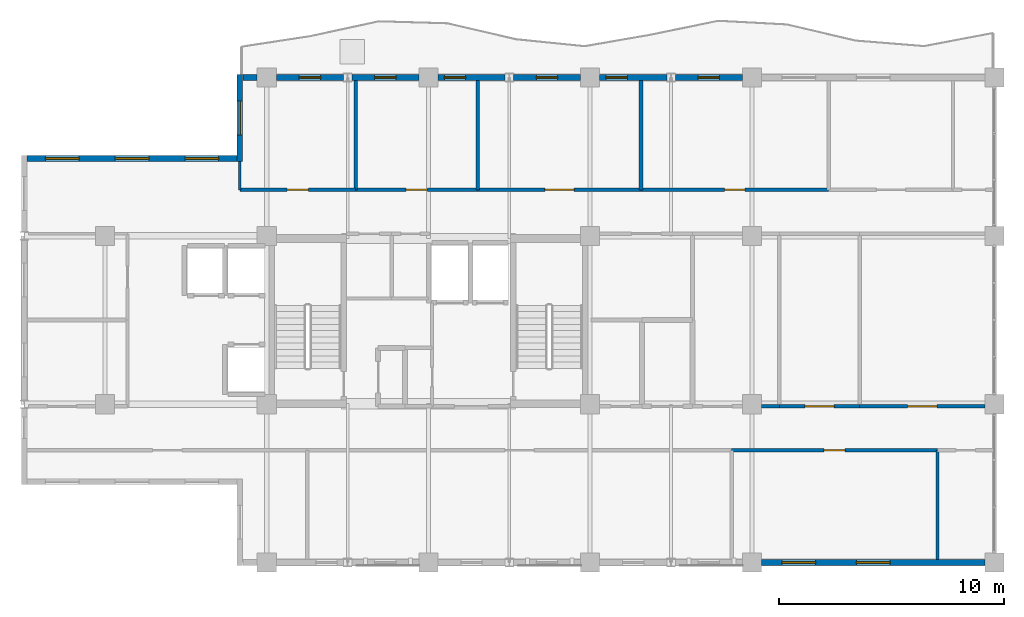
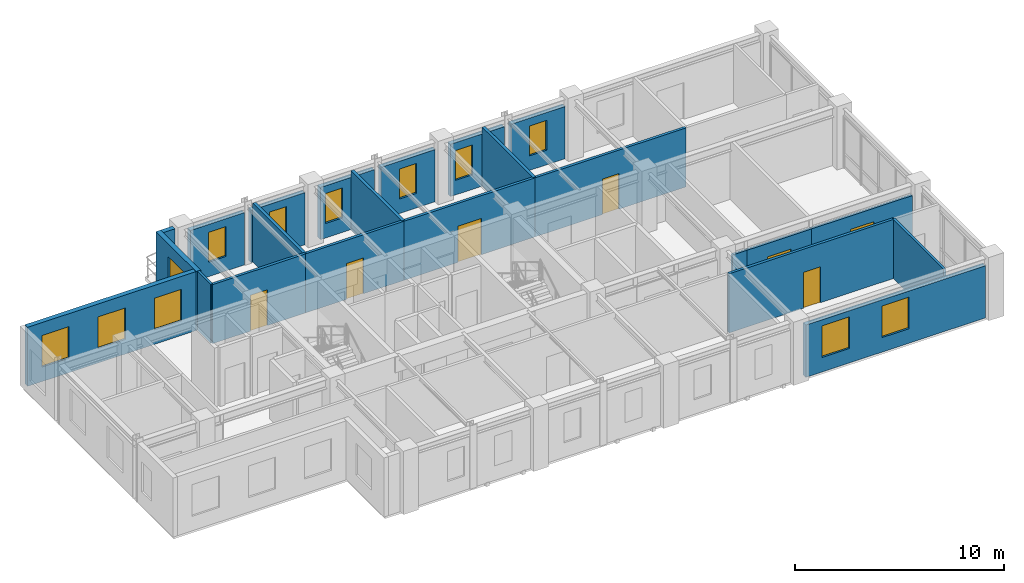
# One storey, part 8 of 10: 23 walls, 12 windows, 7 doors, 19 openings.
"""IFC4 building model written with IfcOpenShell, lengths in metres."""

from ifc_helpers import new_model, si_unit, direction, frame, frame_2d, origin, place, context, subcontext, project, spatial, rectangle, extrude, material, layer, layer_set, type_object, element, fill, save


model = new_model("IFC4")

# Units and contexts
model_context = context("Model", 3, precision=1e-05, world=origin(), true_north=direction((0.0, 1.0)))
body_context = subcontext(model_context, "Body", "Model", "MODEL_VIEW")
ifc_project = project(units=[si_unit("LENGTHUNIT", "METRE"), si_unit("AREAUNIT", "SQUARE_METRE"), si_unit("VOLUMEUNIT", "CUBIC_METRE"), si_unit("PLANEANGLEUNIT", "RADIAN"), si_unit("MASSUNIT", "GRAM", prefix="KILO")], contexts=[model_context])

# Site, building, storey
site_placement = place(None, origin())
site = spatial("IfcSite", under=ifc_project, at=site_placement, CompositionType="ELEMENT")
building_placement = place(site_placement, origin())
building = spatial("IfcBuilding", under=site, at=building_placement, Name="Kaliganga Portal Commons", CompositionType="ELEMENT")
storey_placement = place(building_placement, frame((0.0, 0.0, 279.5)))
storey = spatial("IfcBuildingStorey", under=building, at=storey_placement, Name="L72", CompositionType="ELEMENT", Elevation=279.5)

# Wall, openings, windows
ifc_material_1 = material(Name="Insulated Aluminium-Clad Spandrel Assembly", Category="aluminium")
ifc_layer_1 = layer(ifc_material_1, 0.260009765625)
ifc_layer_set_1 = layer_set([ifc_layer_1], Name="Insulated Aluminium-Clad Spandrel Assembly")
wall_type_1 = type_object("IfcWallType", Name="WL-EXT-SPAND-260", PredefinedType="STANDARD", material=ifc_layer_set_1)
wall_1_placement = place(storey_placement, frame((46.3740234375, 21.60009765625, 0.0), z_axis=(0.0, 0.0, 1.0), x_axis=(-1.0, 0.0, 0.0)))
wall_1 = element("IfcWall", 1, at=wall_1_placement, inside=storey, type_object=wall_type_1, Name="Exterior Envelope Wall L72 P1-E00-S8", PredefinedType="STANDARD", context=body_context, shape_type="SweptSolid", body=[
    extrude(rectangle(XDim=9.947998046875, YDim=0.260009765625, at=frame_2d((4.97412109375, 0.0))), origin(), (0.0, 0.0, 1.0), 3.054931640625),
])
opening_1_placement = place(wall_1_placement, frame((4.22412109375, 0.0, 0.85009765625)))
opening_1 = element("IfcOpeningElement", 2, at=opening_1_placement, cuts=wall_1, Name="Opening W-02", PredefinedType="OPENING", context=body_context, shape_type="SweptSolid", body=[
    extrude(rectangle(XDim=1.5, YDim=1.85009765625, at=frame_2d((0.75, 0.925048828125))), frame((0.0, 0.14013671875, 0.0), z_axis=(0.0, -1.0, 0.0), x_axis=(1.0, 0.0, 0.0)), (0.0, 0.0, 1.0), 0.280029296875),
])
opening_2_placement = place(wall_1_placement, frame((7.5400390625, 0.0, 0.85009765625)))
opening_2 = element("IfcOpeningElement", 3, at=opening_2_placement, cuts=wall_1, Name="Opening W-02", PredefinedType="OPENING", context=body_context, shape_type="SweptSolid", body=[
    extrude(rectangle(XDim=1.5, YDim=1.85009765625, at=frame_2d((0.75, 0.925048828125))), frame((0.0, 0.14013671875, 0.0), z_axis=(0.0, -1.0, 0.0), x_axis=(1.0, 0.0, 0.0)), (0.0, 0.0, 1.0), 0.280029296875),
])
ifc_material_2 = material(Name="Thermally Broken Aluminium and Low-E Double Glazing", Category="aluminium")
window_type_1 = type_object("IfcWindowType", Name="WIN-STD-1500", PartitioningType="DOUBLE_PANEL_VERTICAL", PredefinedType="WINDOW", material=ifc_material_2)
window_1_placement = place(opening_1_placement, origin())
window_1 = element("IfcWindow", 4, at=window_1_placement, inside=storey, type_object=window_type_1, Name="Facade Window L72-P1E00S8-01", OverallHeight=1.85009765625, OverallWidth=1.5, PartitioningType="SINGLE_PANEL", PredefinedType="WINDOW", context=body_context, shape_type="SweptSolid", body=[
    extrude(rectangle(XDim=1.5, YDim=1.85009765625, at=frame_2d((0.75, 0.925048828125))), frame((0.0, 0.030029296875, 0.0), z_axis=(0.0, -1.0, 0.0), x_axis=(1.0, 0.0, 0.0)), (0.0, 0.0, 1.0), 0.06005859375),
])
fill(opening_1, window_1)
window_2_placement = place(opening_2_placement, origin())
window_2 = element("IfcWindow", 5, at=window_2_placement, inside=storey, type_object=window_type_1, Name="Facade Window L72-P1E00S8-02", OverallHeight=1.85009765625, OverallWidth=1.5, PartitioningType="SINGLE_PANEL", PredefinedType="WINDOW", context=body_context, shape_type="SweptSolid", body=[
    extrude(rectangle(XDim=1.5, YDim=1.85009765625, at=frame_2d((0.75, 0.925048828125))), frame((0.0, 0.030029296875, 0.0), z_axis=(0.0, -1.0, 0.0), x_axis=(1.0, 0.0, 0.0)), (0.0, 0.0, 1.0), 0.06005859375),
])
fill(opening_2, window_2)

# Wall, opening, window
wall_2_placement = place(storey_placement, frame((32.587890625, 43.199951171875, 0.0), z_axis=(0.0, 0.0, 1.0), x_axis=(1.0, 0.0, 0.0)))
wall_2 = element("IfcWall", 6, at=wall_2_placement, inside=storey, type_object=wall_type_1, Name="Exterior Envelope Wall L72 P1-E02-S2", PredefinedType="STANDARD", context=body_context, shape_type="SweptSolid", body=[
    extrude(rectangle(XDim=2.986083984375, YDim=0.260009765625, at=frame_2d((1.4931640625, 0.0))), origin(), (0.0, 0.0, 1.0), 3.054931640625),
])
opening_3_placement = place(wall_2_placement, frame((1.01806640625, 0.0, 0.85009765625)))
opening_3 = element("IfcOpeningElement", 7, at=opening_3_placement, cuts=wall_2, Name="Opening W-04", PredefinedType="OPENING", context=body_context, shape_type="SweptSolid", body=[
    extrude(rectangle(XDim=0.949951171875, YDim=1.75, at=frame_2d((0.47509765625, 0.875))), frame((0.0, 0.14013671875, 0.0), z_axis=(0.0, -1.0, 0.0), x_axis=(1.0, 0.0, 0.0)), (0.0, 0.0, 1.0), 0.280029296875),
])
window_type_2 = type_object("IfcWindowType", Name="WIN-NARROW-950", PartitioningType="SINGLE_PANEL", PredefinedType="WINDOW", material=ifc_material_2)
window_3_placement = place(opening_3_placement, origin())
window_3 = element("IfcWindow", 8, at=window_3_placement, inside=storey, type_object=window_type_2, Name="Facade Window L72-P1E02S2-00", OverallHeight=1.75, OverallWidth=0.949951171875, PartitioningType="SINGLE_PANEL", PredefinedType="WINDOW", context=body_context, shape_type="SweptSolid", body=[
    extrude(rectangle(XDim=0.949951171875, YDim=1.75, at=frame_2d((0.47509765625, 0.875))), frame((0.0, 0.030029296875, 0.0), z_axis=(0.0, -1.0, 0.0), x_axis=(1.0, 0.0, 0.0)), (0.0, 0.0, 1.0), 0.06005859375),
])
fill(opening_3, window_3)

wall_3_placement = place(storey_placement, frame((29.22607421875, 43.199951171875, 0.0), z_axis=(0.0, 0.0, 1.0), x_axis=(1.0, 0.0, 0.0)))
wall_3 = element("IfcWall", 9, at=wall_3_placement, inside=storey, type_object=wall_type_1, Name="Exterior Envelope Wall L72 P1-E02-S3", PredefinedType="STANDARD", context=body_context, shape_type="SweptSolid", body=[
    extrude(rectangle(XDim=2.98583984375, YDim=0.260009765625, at=frame_2d((1.492919921875, 0.0))), origin(), (0.0, 0.0, 1.0), 3.054931640625),
])
opening_4_placement = place(wall_3_placement, frame((0.277587890625, 0.0, 0.85009765625)))
opening_4 = element("IfcOpeningElement", 10, at=opening_4_placement, cuts=wall_3, Name="Opening W-04", PredefinedType="OPENING", context=body_context, shape_type="SweptSolid", body=[
    extrude(rectangle(XDim=0.949951171875, YDim=1.75, at=frame_2d((0.47509765625, 0.875))), frame((0.0, 0.14013671875, 0.0), z_axis=(0.0, -1.0, 0.0), x_axis=(1.0, 0.0, 0.0)), (0.0, 0.0, 1.0), 0.280029296875),
])
window_4_placement = place(opening_4_placement, origin())
window_4 = element("IfcWindow", 11, at=window_4_placement, inside=storey, type_object=window_type_2, Name="Facade Window L72-P1E02S3-N1", OverallHeight=1.75, OverallWidth=0.949951171875, PartitioningType="SINGLE_PANEL", PredefinedType="WINDOW", context=body_context, shape_type="SweptSolid", body=[
    extrude(rectangle(XDim=0.949951171875, YDim=1.75, at=frame_2d((0.47509765625, 0.875))), frame((0.0, 0.030029296875, 0.0), z_axis=(0.0, -1.0, 0.0), x_axis=(1.0, 0.0, 0.0)), (0.0, 0.0, 1.0), 0.06005859375),
])
fill(opening_4, window_4)

wall_4_placement = place(storey_placement, frame((25.387939453125, 43.199951171875, 0.0), z_axis=(0.0, 0.0, 1.0), x_axis=(1.0, 0.0, 0.0)))
wall_4 = element("IfcWall", 12, at=wall_4_placement, inside=storey, type_object=wall_type_1, Name="Exterior Envelope Wall L72 P1-E02-S4", PredefinedType="STANDARD", context=body_context, shape_type="SweptSolid", body=[
    extrude(rectangle(XDim=2.986083984375, YDim=0.260009765625, at=frame_2d((1.4931640625, 0.0))), origin(), (0.0, 0.0, 1.0), 3.054931640625),
])
opening_5_placement = place(wall_4_placement, frame((1.01806640625, 0.0, 0.85009765625)))
opening_5 = element("IfcOpeningElement", 13, at=opening_5_placement, cuts=wall_4, Name="Opening W-04", PredefinedType="OPENING", context=body_context, shape_type="SweptSolid", body=[
    extrude(rectangle(XDim=0.949951171875, YDim=1.75, at=frame_2d((0.47509765625, 0.875))), frame((0.0, 0.14013671875, 0.0), z_axis=(0.0, -1.0, 0.0), x_axis=(1.0, 0.0, 0.0)), (0.0, 0.0, 1.0), 0.280029296875),
])
window_5_placement = place(opening_5_placement, origin())
window_5 = element("IfcWindow", 14, at=window_5_placement, inside=storey, type_object=window_type_2, Name="Facade Window L72-P1E02S4-00", OverallHeight=1.75, OverallWidth=0.949951171875, PartitioningType="SINGLE_PANEL", PredefinedType="WINDOW", context=body_context, shape_type="SweptSolid", body=[
    extrude(rectangle(XDim=0.949951171875, YDim=1.75, at=frame_2d((0.47509765625, 0.875))), frame((0.0, 0.030029296875, 0.0), z_axis=(0.0, -1.0, 0.0), x_axis=(1.0, 0.0, 0.0)), (0.0, 0.0, 1.0), 0.06005859375),
])
fill(opening_5, window_5)

wall_5_placement = place(storey_placement, frame((22.02587890625, 43.199951171875, 0.0), z_axis=(0.0, 0.0, 1.0), x_axis=(1.0, 0.0, 0.0)))
wall_5 = element("IfcWall", 15, at=wall_5_placement, inside=storey, type_object=wall_type_1, Name="Exterior Envelope Wall L72 P1-E02-S5", PredefinedType="STANDARD", context=body_context, shape_type="SweptSolid", body=[
    extrude(rectangle(XDim=2.986083984375, YDim=0.260009765625, at=frame_2d((1.4931640625, 0.0))), origin(), (0.0, 0.0, 1.0), 3.054931640625),
])
opening_6_placement = place(wall_5_placement, frame((0.277587890625, 0.0, 0.85009765625)))
opening_6 = element("IfcOpeningElement", 16, at=opening_6_placement, cuts=wall_5, Name="Opening W-04", PredefinedType="OPENING", context=body_context, shape_type="SweptSolid", body=[
    extrude(rectangle(XDim=0.949951171875, YDim=1.75, at=frame_2d((0.47509765625, 0.875))), frame((0.0, 0.14013671875, 0.0), z_axis=(0.0, -1.0, 0.0), x_axis=(1.0, 0.0, 0.0)), (0.0, 0.0, 1.0), 0.280029296875),
])
window_6_placement = place(opening_6_placement, origin())
window_6 = element("IfcWindow", 17, at=window_6_placement, inside=storey, type_object=window_type_2, Name="Facade Window L72-P1E02S5-N1", OverallHeight=1.75, OverallWidth=0.949951171875, PartitioningType="SINGLE_PANEL", PredefinedType="WINDOW", context=body_context, shape_type="SweptSolid", body=[
    extrude(rectangle(XDim=0.949951171875, YDim=1.75, at=frame_2d((0.47509765625, 0.875))), frame((0.0, 0.030029296875, 0.0), z_axis=(0.0, -1.0, 0.0), x_axis=(1.0, 0.0, 0.0)), (0.0, 0.0, 1.0), 0.06005859375),
])
fill(opening_6, window_6)

wall_6_placement = place(storey_placement, frame((18.18798828125, 43.199951171875, 0.0), z_axis=(0.0, 0.0, 1.0), x_axis=(1.0, 0.0, 0.0)))
wall_6 = element("IfcWall", 18, at=wall_6_placement, inside=storey, type_object=wall_type_1, Name="Exterior Envelope Wall L72 P1-E02-S6", PredefinedType="STANDARD", context=body_context, shape_type="SweptSolid", body=[
    extrude(rectangle(XDim=2.986083984375, YDim=0.260009765625, at=frame_2d((1.4931640625, 0.0))), origin(), (0.0, 0.0, 1.0), 3.054931640625),
])
opening_7_placement = place(wall_6_placement, frame((1.01806640625, 0.0, 0.85009765625)))
opening_7 = element("IfcOpeningElement", 19, at=opening_7_placement, cuts=wall_6, Name="Opening W-04", PredefinedType="OPENING", context=body_context, shape_type="SweptSolid", body=[
    extrude(rectangle(XDim=0.949951171875, YDim=1.75, at=frame_2d((0.47509765625, 0.875))), frame((0.0, 0.14013671875, 0.0), z_axis=(0.0, -1.0, 0.0), x_axis=(1.0, 0.0, 0.0)), (0.0, 0.0, 1.0), 0.280029296875),
])
window_7_placement = place(opening_7_placement, origin())
window_7 = element("IfcWindow", 20, at=window_7_placement, inside=storey, type_object=window_type_2, Name="Facade Window L72-P1E02S6-00", OverallHeight=1.75, OverallWidth=0.949951171875, PartitioningType="SINGLE_PANEL", PredefinedType="WINDOW", context=body_context, shape_type="SweptSolid", body=[
    extrude(rectangle(XDim=0.949951171875, YDim=1.75, at=frame_2d((0.47509765625, 0.875))), frame((0.0, 0.030029296875, 0.0), z_axis=(0.0, -1.0, 0.0), x_axis=(1.0, 0.0, 0.0)), (0.0, 0.0, 1.0), 0.06005859375),
])
fill(opening_7, window_7)

wall_7_placement = place(storey_placement, frame((14.825927734375, 43.199951171875, 0.0), z_axis=(0.0, 0.0, 1.0), x_axis=(1.0, 0.0, 0.0)))
wall_7 = element("IfcWall", 21, at=wall_7_placement, inside=storey, type_object=wall_type_1, Name="Exterior Envelope Wall L72 P1-E02-S7", PredefinedType="STANDARD", context=body_context, shape_type="SweptSolid", body=[
    extrude(rectangle(XDim=2.986083984375, YDim=0.260009765625, at=frame_2d((1.4931640625, 0.0))), origin(), (0.0, 0.0, 1.0), 3.054931640625),
])
opening_8_placement = place(wall_7_placement, frame((1.01806640625, 0.0, 0.85009765625)))
opening_8 = element("IfcOpeningElement", 22, at=opening_8_placement, cuts=wall_7, Name="Opening W-04", PredefinedType="OPENING", context=body_context, shape_type="SweptSolid", body=[
    extrude(rectangle(XDim=0.949951171875, YDim=1.75, at=frame_2d((0.47509765625, 0.875))), frame((0.0, 0.14013671875, 0.0), z_axis=(0.0, -1.0, 0.0), x_axis=(1.0, 0.0, 0.0)), (0.0, 0.0, 1.0), 0.280029296875),
])
window_8_placement = place(opening_8_placement, origin())
window_8 = element("IfcWindow", 23, at=window_8_placement, inside=storey, type_object=window_type_2, Name="Facade Window L72-P1E02S7-00", OverallHeight=1.75, OverallWidth=0.949951171875, PartitioningType="SINGLE_PANEL", PredefinedType="WINDOW", context=body_context, shape_type="SweptSolid", body=[
    extrude(rectangle(XDim=0.949951171875, YDim=1.75, at=frame_2d((0.47509765625, 0.875))), frame((0.0, 0.030029296875, 0.0), z_axis=(0.0, -1.0, 0.0), x_axis=(1.0, 0.0, 0.0)), (0.0, 0.0, 1.0), 0.06005859375),
])
fill(opening_8, window_8)

# Wall
wall_8_placement = place(storey_placement, frame((13.3349609375, 43.199951171875, 0.0), z_axis=(0.0, 0.0, 1.0), x_axis=(1.0, 0.0, 0.0)))
element("IfcWall", 24, at=wall_8_placement, inside=storey, type_object=wall_type_1, Name="Exterior Envelope Wall L72 P1-E02-S8", PredefinedType="STANDARD", context=body_context, shape_type="SweptSolid", body=[
    extrude(rectangle(XDim=0.63916015625, YDim=0.260009765625, at=frame_2d((0.319580078125, 0.0))), origin(), (0.0, 0.0, 1.0), 3.455078125),
])

# Wall, opening, window
wall_9_placement = place(storey_placement, frame((13.199951171875, 39.469970703125, 0.0), z_axis=(0.0, 0.0, 1.0), x_axis=(0.0, 1.0, 0.0)))
wall_9 = element("IfcWall", 25, at=wall_9_placement, inside=storey, type_object=wall_type_1, Name="Exterior Envelope Wall L72 P1-E03-S1", PredefinedType="STANDARD", context=body_context, shape_type="SweptSolid", body=[
    extrude(rectangle(XDim=3.860107421875, YDim=0.260009765625, at=frame_2d((1.93017578125, 0.0))), origin(), (0.0, 0.0, 1.0), 3.455078125),
])
opening_9_placement = place(wall_9_placement, frame((1.179931640625, 0.0, 0.85009765625)))
opening_9 = element("IfcOpeningElement", 26, at=opening_9_placement, cuts=wall_9, Name="Opening W-02", PredefinedType="OPENING", context=body_context, shape_type="SweptSolid", body=[
    extrude(rectangle(XDim=1.5, YDim=1.85009765625, at=frame_2d((0.75, 0.925048828125))), frame((0.0, 0.14013671875, 0.0), z_axis=(0.0, -1.0, 0.0), x_axis=(1.0, 0.0, 0.0)), (0.0, 0.0, 1.0), 0.280029296875),
])
window_9_placement = place(opening_9_placement, origin())
window_9 = element("IfcWindow", 27, at=window_9_placement, inside=storey, type_object=window_type_1, Name="Facade Window L72-P1E03S1-00", OverallHeight=1.85009765625, OverallWidth=1.5, PartitioningType="SINGLE_PANEL", PredefinedType="WINDOW", context=body_context, shape_type="SweptSolid", body=[
    extrude(rectangle(XDim=1.5, YDim=1.85009765625, at=frame_2d((0.75, 0.925048828125))), frame((0.0, 0.030029296875, 0.0), z_axis=(0.0, -1.0, 0.0), x_axis=(1.0, 0.0, 0.0)), (0.0, 0.0, 1.0), 0.06005859375),
])
fill(opening_9, window_9)

# Wall, openings, windows
wall_10_placement = place(storey_placement, frame((3.735107421875, 39.60009765625, 0.0), z_axis=(0.0, 0.0, 1.0), x_axis=(1.0, 0.0, 0.0)))
wall_10 = element("IfcWall", 28, at=wall_10_placement, inside=storey, type_object=wall_type_1, Name="Exterior Envelope Wall L72 P1-E04-S1", PredefinedType="STANDARD", context=body_context, shape_type="SweptSolid", body=[
    extrude(rectangle(XDim=9.329833984375, YDim=0.260009765625, at=frame_2d((4.6650390625, 0.0))), origin(), (0.0, 0.0, 1.0), 3.455078125),
])
opening_10_placement = place(wall_10_placement, frame((0.804931640625, 0.0, 0.85009765625)))
opening_10 = element("IfcOpeningElement", 29, at=opening_10_placement, cuts=wall_10, Name="Opening W-02", PredefinedType="OPENING", context=body_context, shape_type="SweptSolid", body=[
    extrude(rectangle(XDim=1.5, YDim=1.85009765625, at=frame_2d((0.75, 0.925048828125))), frame((0.0, 0.14013671875, 0.0), z_axis=(0.0, -1.0, 0.0), x_axis=(1.0, 0.0, 0.0)), (0.0, 0.0, 1.0), 0.280029296875),
])
opening_11_placement = place(wall_10_placement, frame((3.9150390625, 0.0, 0.85009765625)))
opening_11 = element("IfcOpeningElement", 30, at=opening_11_placement, cuts=wall_10, Name="Opening W-02", PredefinedType="OPENING", context=body_context, shape_type="SweptSolid", body=[
    extrude(rectangle(XDim=1.5, YDim=1.85009765625, at=frame_2d((0.75, 0.925048828125))), frame((0.0, 0.14013671875, 0.0), z_axis=(0.0, -1.0, 0.0), x_axis=(1.0, 0.0, 0.0)), (0.0, 0.0, 1.0), 0.280029296875),
])
opening_12_placement = place(wall_10_placement, frame((7.02490234375, 0.0, 0.85009765625)))
opening_12 = element("IfcOpeningElement", 31, at=opening_12_placement, cuts=wall_10, Name="Opening W-02", PredefinedType="OPENING", context=body_context, shape_type="SweptSolid", body=[
    extrude(rectangle(XDim=1.5, YDim=1.85009765625, at=frame_2d((0.75, 0.925048828125))), frame((0.0, 0.14013671875, 0.0), z_axis=(0.0, -1.0, 0.0), x_axis=(1.0, 0.0, 0.0)), (0.0, 0.0, 1.0), 0.280029296875),
])
window_10_placement = place(opening_10_placement, origin())
window_10 = element("IfcWindow", 32, at=window_10_placement, inside=storey, type_object=window_type_1, Name="Facade Window L72-P1E04S1-00", OverallHeight=1.85009765625, OverallWidth=1.5, PartitioningType="SINGLE_PANEL", PredefinedType="WINDOW", context=body_context, shape_type="SweptSolid", body=[
    extrude(rectangle(XDim=1.5, YDim=1.85009765625, at=frame_2d((0.75, 0.925048828125))), frame((0.0, 0.030029296875, 0.0), z_axis=(0.0, -1.0, 0.0), x_axis=(1.0, 0.0, 0.0)), (0.0, 0.0, 1.0), 0.06005859375),
])
fill(opening_10, window_10)
window_11_placement = place(opening_11_placement, origin())
window_11 = element("IfcWindow", 33, at=window_11_placement, inside=storey, type_object=window_type_1, Name="Facade Window L72-P1E04S1-01", OverallHeight=1.85009765625, OverallWidth=1.5, PartitioningType="SINGLE_PANEL", PredefinedType="WINDOW", context=body_context, shape_type="SweptSolid", body=[
    extrude(rectangle(XDim=1.5, YDim=1.85009765625, at=frame_2d((0.75, 0.925048828125))), frame((0.0, 0.030029296875, 0.0), z_axis=(0.0, -1.0, 0.0), x_axis=(1.0, 0.0, 0.0)), (0.0, 0.0, 1.0), 0.06005859375),
])
fill(opening_11, window_11)
window_12_placement = place(opening_12_placement, origin())
window_12 = element("IfcWindow", 34, at=window_12_placement, inside=storey, type_object=window_type_1, Name="Facade Window L72-P1E04S1-02", OverallHeight=1.85009765625, OverallWidth=1.5, PartitioningType="SINGLE_PANEL", PredefinedType="WINDOW", context=body_context, shape_type="SweptSolid", body=[
    extrude(rectangle(XDim=1.5, YDim=1.85009765625, at=frame_2d((0.75, 0.925048828125))), frame((0.0, 0.030029296875, 0.0), z_axis=(0.0, -1.0, 0.0), x_axis=(1.0, 0.0, 0.0)), (0.0, 0.0, 1.0), 0.06005859375),
])
fill(opening_12, window_12)

# Wall, opening, door
ifc_material_3 = material(Name="Fire-Rated Gypsum Board on Steel Stud", Category="steel")
ifc_layer_2 = layer(ifc_material_3, 0.14990234375)
ifc_layer_set_2 = layer_set([ifc_layer_2], Name="Fire-Rated Gypsum Board on Steel Stud")
wall_type_2 = type_object("IfcWallType", Name="WL-PART-CORR-150", PredefinedType="PARTITIONING", material=ifc_layer_set_2)
wall_11_placement = place(storey_placement, frame((35.10009765625, 26.60009765625, 0.0), z_axis=(0.0, 0.0, 1.0), x_axis=(1.0, 0.0, 0.0)))
wall_11 = element("IfcWall", 35, at=wall_11_placement, inside=storey, type_object=wall_type_2, Name="Interior Partition L72-003", PredefinedType="PARTITIONING", context=body_context, shape_type="SweptSolid", body=[
    extrude(rectangle(XDim=9.159912109375, YDim=0.14990234375, at=frame_2d((4.580078125, 0.0))), origin(), (0.0, 0.0, 1.0), 3.455078125),
])
opening_13_placement = place(wall_11_placement, frame((4.10498046875, 0.0, 0.0)))
opening_13 = element("IfcOpeningElement", 36, at=opening_13_placement, cuts=wall_11, Name="Opening UD-01", PredefinedType="OPENING", context=body_context, shape_type="SweptSolid", body=[
    extrude(rectangle(XDim=0.949951171875, YDim=2.10009765625, at=frame_2d((0.47509765625, 1.050048828125))), frame((0.0, 0.0849609375, 0.0), z_axis=(0.0, -1.0, 0.0), x_axis=(1.0, 0.0, 0.0)), (0.0, 0.0, 1.0), 0.169921875),
])
ifc_material_4 = material(Name="Solid-Core Timber Acoustic Fire Door", Category="wood")
door_type_1 = type_object("IfcDoorType", Name="DR-UNIT-950", OperationType="NOTDEFINED", PredefinedType="DOOR", material=ifc_material_4)
door_1_placement = place(opening_13_placement, origin())
door_1 = element("IfcDoor", 37, at=door_1_placement, inside=storey, type_object=door_type_1, Name="Interior Door L72-AS03", OperationType="SINGLE_SWING_LEFT", OverallHeight=2.10009765625, OverallWidth=0.949951171875, PredefinedType="DOOR", context=body_context, shape_type="SweptSolid", body=[
    extrude(rectangle(XDim=0.949951171875, YDim=2.10009765625, at=frame_2d((0.47509765625, 1.050048828125))), frame((0.0, 0.02490234375, 0.0), z_axis=(0.0, -1.0, 0.0), x_axis=(1.0, 0.0, 0.0)), (0.0, 0.0, 1.0), 0.050048828125),
])
fill(opening_13, door_1)

wall_12_placement = place(storey_placement, frame((31.06005859375, 38.199951171875, 0.0), z_axis=(0.0, 0.0, 1.0), x_axis=(1.0, 0.0, 0.0)))
wall_12 = element("IfcWall", 38, at=wall_12_placement, inside=storey, type_object=wall_type_2, Name="Interior Partition L72-004", PredefinedType="PARTITIONING", context=body_context, shape_type="SweptSolid", body=[
    extrude(rectangle(XDim=8.35986328125, YDim=0.14990234375, at=frame_2d((4.179931640625, 0.0))), origin(), (0.0, 0.0, 1.0), 3.455078125),
])
opening_14_placement = place(wall_12_placement, frame((3.72998046875, 0.0, 0.0)))
opening_14 = element("IfcOpeningElement", 39, at=opening_14_placement, cuts=wall_12, Name="Opening RD-01", PredefinedType="OPENING", context=body_context, shape_type="SweptSolid", body=[
    extrude(rectangle(XDim=0.89990234375, YDim=2.080078125, at=frame_2d((0.449951171875, 1.0400390625))), frame((0.0, 0.0849609375, 0.0), z_axis=(0.0, -1.0, 0.0), x_axis=(1.0, 0.0, 0.0)), (0.0, 0.0, 1.0), 0.169921875),
])
ifc_material_5 = material(Name="Engineered Timber Flush Door", Category="wood")
door_type_2 = type_object("IfcDoorType", Name="DR-ROOM-900", OperationType="NOTDEFINED", PredefinedType="DOOR", material=ifc_material_5)
door_2_placement = place(opening_14_placement, origin())
door_2 = element("IfcDoor", 40, at=door_2_placement, inside=storey, type_object=door_type_2, Name="Interior Door L72-AN04", OperationType="SINGLE_SWING_RIGHT", OverallHeight=2.080078125, OverallWidth=0.89990234375, PredefinedType="DOOR", context=body_context, shape_type="SweptSolid", body=[
    extrude(rectangle(XDim=0.89990234375, YDim=2.080078125, at=frame_2d((0.449951171875, 1.0400390625))), frame((0.0, 0.02490234375, 0.0), z_axis=(0.0, -1.0, 0.0), x_axis=(1.0, 0.0, 0.0)), (0.0, 0.0, 1.0), 0.050048828125),
])
fill(opening_14, door_2)

wall_13_placement = place(storey_placement, frame((23.800048828125, 38.199951171875, 0.0), z_axis=(0.0, 0.0, 1.0), x_axis=(1.0, 0.0, 0.0)))
wall_13 = element("IfcWall", 41, at=wall_13_placement, inside=storey, type_object=wall_type_2, Name="Interior Partition L72-005", PredefinedType="PARTITIONING", context=body_context, shape_type="SweptSolid", body=[
    extrude(rectangle(XDim=7.260009765625, YDim=0.14990234375, at=frame_2d((3.6298828125, 0.0))), origin(), (0.0, 0.0, 1.0), 3.455078125),
])
opening_15_placement = place(wall_13_placement, frame((2.97998046875, 0.0, 0.0)))
opening_15 = element("IfcOpeningElement", 42, at=opening_15_placement, cuts=wall_13, Name="Opening RD-03", PredefinedType="OPENING", context=body_context, shape_type="SweptSolid", body=[
    extrude(rectangle(XDim=1.300048828125, YDim=2.1201171875, at=frame_2d((0.64990234375, 1.06005859375))), frame((0.0, 0.0849609375, 0.0), z_axis=(0.0, -1.0, 0.0), x_axis=(1.0, 0.0, 0.0)), (0.0, 0.0, 1.0), 0.169921875),
])
ifc_material_6 = material(Name="Glazed Timber Seminar Vision Door", Category="wood")
door_type_3 = type_object("IfcDoorType", Name="DR-STUDY-1300", OperationType="DOUBLE_DOOR_SINGLE_SWING", PredefinedType="DOOR", material=ifc_material_6)
door_3_placement = place(opening_15_placement, origin())
door_3 = element("IfcDoor", 43, at=door_3_placement, inside=storey, type_object=door_type_3, Name="Interior Door L72-AN03", OperationType="DOUBLE_DOOR_SINGLE_SWING", OverallHeight=2.1201171875, OverallWidth=1.300048828125, PredefinedType="DOOR", context=body_context, shape_type="SweptSolid", body=[
    extrude(rectangle(XDim=1.300048828125, YDim=2.1201171875, at=frame_2d((0.64990234375, 1.06005859375))), frame((0.0, 0.02490234375, 0.0), z_axis=(0.0, -1.0, 0.0), x_axis=(1.0, 0.0, 0.0)), (0.0, 0.0, 1.0), 0.050048828125),
])
fill(opening_15, door_3)

wall_14_placement = place(storey_placement, frame((40.800048828125, 28.56005859375, 0.0), z_axis=(0.0, 0.0, 1.0), x_axis=(1.0, 0.0, 0.0)))
wall_14 = element("IfcWall", 44, at=wall_14_placement, inside=storey, type_object=wall_type_2, Name="Interior Partition L72-006", PredefinedType="PARTITIONING", context=body_context, shape_type="SweptSolid", body=[
    extrude(rectangle(XDim=5.574951171875, YDim=0.14990234375, at=frame_2d((2.78759765625, 0.0))), origin(), (0.0, 0.0, 1.0), 2.905029296875),
])
opening_16_placement = place(wall_14_placement, frame((2.137451171875, 0.0, 0.0)))
opening_16 = element("IfcOpeningElement", 45, at=opening_16_placement, cuts=wall_14, Name="Opening RD-03", PredefinedType="OPENING", context=body_context, shape_type="SweptSolid", body=[
    extrude(rectangle(XDim=1.300048828125, YDim=2.1201171875, at=frame_2d((0.64990234375, 1.06005859375))), frame((0.0, 0.0849609375, 0.0), z_axis=(0.0, -1.0, 0.0), x_axis=(1.0, 0.0, 0.0)), (0.0, 0.0, 1.0), 0.169921875),
])
door_4_placement = place(opening_16_placement, origin())
door_4 = element("IfcDoor", 46, at=door_4_placement, inside=storey, type_object=door_type_3, Name="Interior Door L72-AE03", OperationType="DOUBLE_DOOR_SINGLE_SWING", OverallHeight=2.1201171875, OverallWidth=1.300048828125, PredefinedType="DOOR", context=body_context, shape_type="SweptSolid", body=[
    extrude(rectangle(XDim=1.300048828125, YDim=2.1201171875, at=frame_2d((0.64990234375, 1.06005859375))), frame((0.0, 0.02490234375, 0.0), z_axis=(0.0, -1.0, 0.0), x_axis=(1.0, 0.0, 0.0)), (0.0, 0.0, 1.0), 0.050048828125),
])
fill(opening_16, door_4)

wall_15_placement = place(storey_placement, frame((18.360107421875, 38.199951171875, 0.0), z_axis=(0.0, 0.0, 1.0), x_axis=(1.0, 0.0, 0.0)))
wall_15 = element("IfcWall", 47, at=wall_15_placement, inside=storey, type_object=wall_type_2, Name="Interior Partition L72-009", PredefinedType="PARTITIONING", context=body_context, shape_type="SweptSolid", body=[
    extrude(rectangle(XDim=5.43994140625, YDim=0.14990234375, at=frame_2d((2.719970703125, 0.0))), origin(), (0.0, 0.0, 1.0), 3.455078125),
])
opening_17_placement = place(wall_15_placement, frame((2.2451171875, 0.0, 0.0)))
opening_17 = element("IfcOpeningElement", 48, at=opening_17_placement, cuts=wall_15, Name="Opening UD-01", PredefinedType="OPENING", context=body_context, shape_type="SweptSolid", body=[
    extrude(rectangle(XDim=0.949951171875, YDim=2.10009765625, at=frame_2d((0.47509765625, 1.050048828125))), frame((0.0, 0.0849609375, 0.0), z_axis=(0.0, -1.0, 0.0), x_axis=(1.0, 0.0, 0.0)), (0.0, 0.0, 1.0), 0.169921875),
])
door_5_placement = place(opening_17_placement, origin())
door_5 = element("IfcDoor", 49, at=door_5_placement, inside=storey, type_object=door_type_1, Name="Interior Door L72-AN02", OperationType="SINGLE_SWING_RIGHT", OverallHeight=2.10009765625, OverallWidth=0.949951171875, PredefinedType="DOOR", context=body_context, shape_type="SweptSolid", body=[
    extrude(rectangle(XDim=0.949951171875, YDim=2.10009765625, at=frame_2d((0.47509765625, 1.050048828125))), frame((0.0, 0.02490234375, 0.0), z_axis=(0.0, -1.0, 0.0), x_axis=(1.0, 0.0, 0.0)), (0.0, 0.0, 1.0), 0.050048828125),
])
fill(opening_17, door_5)

wall_16_placement = place(storey_placement, frame((13.199951171875, 38.199951171875, 0.0), z_axis=(0.0, 0.0, 1.0), x_axis=(1.0, 0.0, 0.0)))
wall_16 = element("IfcWall", 50, at=wall_16_placement, inside=storey, type_object=wall_type_2, Name="Interior Partition L72-010", PredefinedType="PARTITIONING", context=body_context, shape_type="SweptSolid", body=[
    extrude(rectangle(XDim=5.16015625, YDim=0.14990234375, at=frame_2d((2.580078125, 0.0))), origin(), (0.0, 0.0, 1.0), 3.455078125),
])
opening_18_placement = place(wall_16_placement, frame((2.10498046875, 0.0, 0.0)))
opening_18 = element("IfcOpeningElement", 51, at=opening_18_placement, cuts=wall_16, Name="Opening UD-01", PredefinedType="OPENING", context=body_context, shape_type="SweptSolid", body=[
    extrude(rectangle(XDim=0.949951171875, YDim=2.10009765625, at=frame_2d((0.47509765625, 1.050048828125))), frame((0.0, 0.0849609375, 0.0), z_axis=(0.0, -1.0, 0.0), x_axis=(1.0, 0.0, 0.0)), (0.0, 0.0, 1.0), 0.169921875),
])
door_6_placement = place(opening_18_placement, origin())
door_6 = element("IfcDoor", 52, at=door_6_placement, inside=storey, type_object=door_type_1, Name="Interior Door L72-AN01", OperationType="SINGLE_SWING_LEFT", OverallHeight=2.10009765625, OverallWidth=0.949951171875, PredefinedType="DOOR", context=body_context, shape_type="SweptSolid", body=[
    extrude(rectangle(XDim=0.949951171875, YDim=2.10009765625, at=frame_2d((0.47509765625, 1.050048828125))), frame((0.0, 0.02490234375, 0.0), z_axis=(0.0, -1.0, 0.0), x_axis=(1.0, 0.0, 0.0)), (0.0, 0.0, 1.0), 0.050048828125),
])
fill(opening_18, door_6)

# Wall
wall_17_placement = place(storey_placement, frame((36.425048828125, 28.56005859375, 0.0), z_axis=(0.0, 0.0, 1.0), x_axis=(1.0, 0.0, 0.0)))
element("IfcWall", 53, at=wall_17_placement, inside=storey, type_object=wall_type_2, Name="Interior Partition L72-015", PredefinedType="PARTITIONING", context=body_context, shape_type="SweptSolid", body=[
    extrude(rectangle(XDim=0.794921875, YDim=0.14990234375, at=frame_2d((0.3974609375, 0.0))), origin(), (0.0, 0.0, 1.0), 2.905029296875),
])

# Wall, opening, door
wall_18_placement = place(storey_placement, frame((37.219970703125, 28.56005859375, 0.0), z_axis=(0.0, 0.0, 1.0), x_axis=(1.0, 0.0, 0.0)))
wall_18 = element("IfcWall", 54, at=wall_18_placement, inside=storey, type_object=wall_type_2, Name="Interior Partition L72-020", PredefinedType="PARTITIONING", context=body_context, shape_type="SweptSolid", body=[
    extrude(rectangle(XDim=3.580078125, YDim=0.14990234375, at=frame_2d((1.7900390625, 0.0))), origin(), (0.0, 0.0, 1.0), 2.905029296875),
])
opening_19_placement = place(wall_18_placement, frame((1.139892578125, 0.0, 0.0)))
opening_19 = element("IfcOpeningElement", 55, at=opening_19_placement, cuts=wall_18, Name="Opening RD-03", PredefinedType="OPENING", context=body_context, shape_type="SweptSolid", body=[
    extrude(rectangle(XDim=1.300048828125, YDim=2.1201171875, at=frame_2d((0.64990234375, 1.06005859375))), frame((0.0, 0.0849609375, 0.0), z_axis=(0.0, -1.0, 0.0), x_axis=(1.0, 0.0, 0.0)), (0.0, 0.0, 1.0), 0.169921875),
])
door_7_placement = place(opening_19_placement, origin())
door_7 = element("IfcDoor", 56, at=door_7_placement, inside=storey, type_object=door_type_3, Name="Interior Door L72-AE02", OperationType="DOUBLE_DOOR_SINGLE_SWING", OverallHeight=2.1201171875, OverallWidth=1.300048828125, PredefinedType="DOOR", context=body_context, shape_type="SweptSolid", body=[
    extrude(rectangle(XDim=1.300048828125, YDim=2.1201171875, at=frame_2d((0.64990234375, 1.06005859375))), frame((0.0, 0.02490234375, 0.0), z_axis=(0.0, -1.0, 0.0), x_axis=(1.0, 0.0, 0.0)), (0.0, 0.0, 1.0), 0.050048828125),
])
fill(opening_19, door_7)

# Walls
ifc_material_7 = material(Name="Moisture-Resistant Gypsum Partition", Category="gypsum")
ifc_layer_3 = layer(ifc_material_7, 0.114990234375)
ifc_layer_set_3 = layer_set([ifc_layer_3], Name="Moisture-Resistant Gypsum Partition")
wall_type_3 = type_object("IfcWallType", Name="WL-PART-ROOM-115", PredefinedType="PARTITIONING", material=ifc_layer_set_3)
wall_19_placement = place(storey_placement, frame((13.199951171875, 38.199951171875, 0.0), z_axis=(0.0, 0.0, 1.0), x_axis=(0.0, 1.0, 0.0)))
element("IfcWall", 57, at=wall_19_placement, inside=storey, type_object=wall_type_3, Name="Interior Partition L72-038", PredefinedType="PARTITIONING", context=body_context, shape_type="SweptSolid", body=[
    extrude(rectangle(XDim=1.26806640625, YDim=0.114990234375, at=frame_2d((0.634033203125, 0.0))), origin(), (0.0, 0.0, 1.0), 3.455078125),
])
ifc_material_8 = material(Name="Twin-Stud Acoustic Gypsum Partition", Category="gypsum")
ifc_layer_4 = layer(ifc_material_8, 0.1650390625)
ifc_layer_set_4 = layer_set([ifc_layer_4], Name="Twin-Stud Acoustic Gypsum Partition")
wall_type_4 = type_object("IfcWallType", Name="WL-PART-UNIT-165", PredefinedType="PARTITIONING", material=ifc_layer_set_4)
for number, where, z_axis, x_axis, name in (
    (58, (18.360107421875, 38.199951171875, 0.0), (0.0, 0.0, 1.0), (0.0, 1.0, 0.0), "Interior Partition L72-040"),
    (59, (23.800048828125, 38.199951171875, 0.0), (0.0, 0.0, 1.0), (0.0, 1.0, 0.0), "Interior Partition L72-041"),
    (60, (31.06005859375, 38.199951171875, 0.0), (0.0, 0.0, 1.0), (0.0, 1.0, 0.0), "Interior Partition L72-042"),
):
    element("IfcWall", number, at=place(storey_placement, frame(where, z_axis=z_axis, x_axis=x_axis)), inside=storey, type_object=wall_type_4, Name=name, PredefinedType="PARTITIONING", context=body_context, shape_type="SweptSolid", body=[
        extrude(rectangle(XDim=4.8681640625, YDim=0.1650390625, at=frame_2d((2.43408203125, 0.0))), origin(), (0.0, 0.0, 1.0), 3.455078125),
    ])
ifc_material_9 = material(Name="Cement-Board Wet-Room Partition", Category="gypsum")
ifc_layer_5 = layer(ifc_material_9, 0.135009765625)
ifc_layer_set_5 = layer_set([ifc_layer_5], Name="Cement-Board Wet-Room Partition")
wall_type_5 = type_object("IfcWallType", Name="WL-PART-WET-135", PredefinedType="PARTITIONING", material=ifc_layer_set_5)
wall_20_placement = place(storey_placement, frame((44.260009765625, 21.73193359375, 0.0), z_axis=(0.0, 0.0, 1.0), x_axis=(0.0, 1.0, 0.0)))
element("IfcWall", 61, at=wall_20_placement, inside=storey, type_object=wall_type_5, Name="Interior Partition L72-045", PredefinedType="PARTITIONING", context=body_context, shape_type="SweptSolid", body=[
    extrude(rectangle(XDim=4.8681640625, YDim=0.135009765625, at=frame_2d((2.43408203125, 0.0))), origin(), (0.0, 0.0, 1.0), 3.455078125),
])

save(model, "model.ifc")
